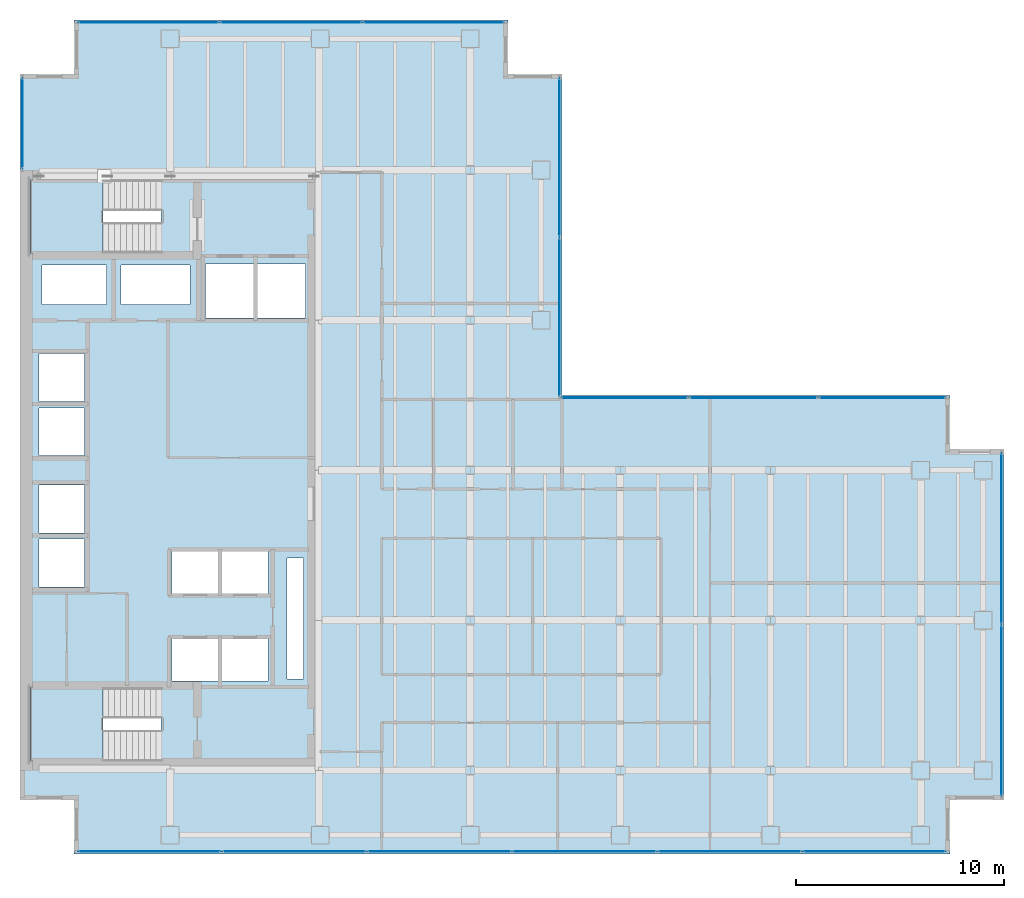
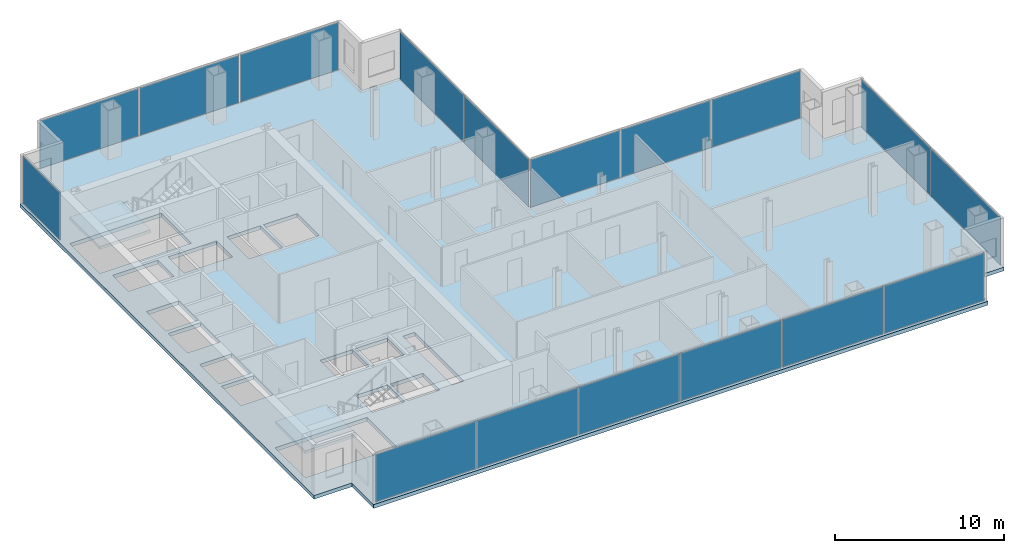
# One storey, part 19 of 23: 17 plates, 3 slabs, 15 openings, 8 elements without a shape of their own.
"""IFC4 building model written with IfcOpenShell, lengths in metres."""

from ifc_helpers import new_model, si_unit, direction, frame, origin, origin_2d, place, context, subcontext, project, spatial, polyline, rectangle, outline, extrude, material, layer, layer_set, type_object, element, aggregate, save


model = new_model("IFC4")

# Units and contexts
model_context = context("Model", 3, precision=1e-05, world=origin(), true_north=direction((0.0, 1.0)))
body_context = subcontext(model_context, "Body", "Model", "MODEL_VIEW")
ifc_project = project(units=[si_unit("LENGTHUNIT", "METRE"), si_unit("AREAUNIT", "SQUARE_METRE"), si_unit("VOLUMEUNIT", "CUBIC_METRE"), si_unit("PLANEANGLEUNIT", "RADIAN"), si_unit("MASSUNIT", "GRAM", prefix="KILO")], contexts=[model_context])

# Site, building, storey
site_placement = place(None, origin())
site = spatial("IfcSite", under=ifc_project, at=site_placement, CompositionType="ELEMENT")
building_placement = place(site_placement, origin())
building = spatial("IfcBuilding", under=site, at=building_placement, Name="Cobrela Telecom Tower", CompositionType="ELEMENT")
storey_placement = place(building_placement, frame((0.0, 0.0, 144.550048828125)))
storey = spatial("IfcBuildingStorey", under=building, at=storey_placement, Name="L36", CompositionType="ELEMENT", Elevation=144.550048828125)

# Curtain wall, plate
ifc_material_1 = material(Name="Anodized Bronze Aluminium 6063-T6", Category="aluminium")
curtain_wall_type = type_object("IfcCurtainWallType", Name="CW-SYS-TEL", PredefinedType="USERDEFINED", material=ifc_material_1)
curtain_wall_1_placement = place(storey_placement, origin())
curtain_wall_1 = element("IfcCurtainWall", 1, at=curtain_wall_1_placement, inside=storey, type_object=curtain_wall_type, Name="L36 Unitised Bronze Curtain Wall 04", ObjectType="UNITISED CURTAIN WALL", PredefinedType="USERDEFINED")
ifc_material_2 = material(Name="Solar-Control Bronze Low-E Glass", Category="glass")
ifc_layer_1 = layer(ifc_material_2, 0.035888671875)
ifc_layer_set_1 = layer_set([ifc_layer_1], Name="Solar-Control Bronze Low-E Glass")
plate_type = type_object("IfcPlateType", Name="CW-SYS-TEL-PNL", PredefinedType="CURTAIN_PANEL", material=ifc_layer_set_1)
plate_1_placement = place(storey_placement, frame((0.1201171875, 38.2451171875, 0.070068359375), z_axis=(0.0, 0.0, 1.0), x_axis=(0.0, 1.0, 0.0)))
plate_1 = element("IfcPlate", 2, at=plate_1_placement, type_object=plate_type, Name="CW-TEL panel 1.1", PredefinedType="CURTAIN_PANEL", context=body_context, shape_type="SweptSolid", body=[
    extrude(rectangle(XDim=4.340087890625, YDim=0.035888671875, at=origin_2d()), origin(), (0.0, 0.0, 1.0), 3.43994140625),
])
aggregate(curtain_wall_1, [plate_1])

# Curtain wall, plates
curtain_wall_2_placement = place(storey_placement, origin())
curtain_wall_2 = element("IfcCurtainWall", 3, at=curtain_wall_2_placement, inside=storey, type_object=curtain_wall_type, Name="L36 Unitised Bronze Curtain Wall 07", ObjectType="UNITISED CURTAIN WALL", PredefinedType="USERDEFINED")
plate_2_placement = place(storey_placement, frame((6.15869140625, 43.080078125, 0.070068359375), z_axis=(0.0, 0.0, 1.0), x_axis=(1.0, 0.0, 0.0)))
plate_2 = element("IfcPlate", 4, at=plate_2_placement, type_object=plate_type, Name="CW-TEL panel 1.1", PredefinedType="CURTAIN_PANEL", context=body_context, shape_type="SweptSolid", body=[
    extrude(rectangle(XDim=6.74755859375, YDim=0.035888671875, at=origin_2d()), origin(), (0.0, 0.0, 1.0), 3.43994140625),
])
plate_3_placement = place(storey_placement, frame((13.0, 43.080078125, 0.070068359375), z_axis=(0.0, 0.0, 1.0), x_axis=(1.0, 0.0, 0.0)))
plate_3 = element("IfcPlate", 5, at=plate_3_placement, type_object=plate_type, Name="CW-TEL panel 2.1", PredefinedType="CURTAIN_PANEL", context=body_context, shape_type="SweptSolid", body=[
    extrude(rectangle(XDim=6.784912109375, YDim=0.035888671875, at=origin_2d()), origin(), (0.0, 0.0, 1.0), 3.43994140625),
])
plate_4_placement = place(storey_placement, frame((19.84130859375, 43.080078125, 0.070068359375), z_axis=(0.0, 0.0, 1.0), x_axis=(1.0, 0.0, 0.0)))
plate_4 = element("IfcPlate", 6, at=plate_4_placement, type_object=plate_type, Name="CW-TEL panel 3.1", PredefinedType="CURTAIN_PANEL", context=body_context, shape_type="SweptSolid", body=[
    extrude(rectangle(XDim=6.74755859375, YDim=0.035888671875, at=origin_2d()), origin(), (0.0, 0.0, 1.0), 3.43994140625),
])
aggregate(curtain_wall_2, [plate_2, plate_3, plate_4])

curtain_wall_3_placement = place(storey_placement, origin())
curtain_wall_3 = element("IfcCurtainWall", 7, at=curtain_wall_3_placement, inside=storey, type_object=curtain_wall_type, Name="L36 Unitised Bronze Curtain Wall 10", ObjectType="UNITISED CURTAIN WALL", PredefinedType="USERDEFINED")
plate_5_placement = place(storey_placement, frame((25.8798828125, 36.61865234375, 0.070068359375), z_axis=(0.0, 0.0, 1.0), x_axis=(0.0, -1.0, 0.0)))
plate_5 = element("IfcPlate", 8, at=plate_5_placement, type_object=plate_type, Name="CW-TEL panel 1.1", PredefinedType="CURTAIN_PANEL", context=body_context, shape_type="SweptSolid", body=[
    extrude(rectangle(XDim=7.592529296875, YDim=0.035888671875, at=origin_2d()), origin(), (0.0, 0.0, 1.0), 3.43994140625),
])
plate_6_placement = place(storey_placement, frame((25.8798828125, 28.951171875, 0.070068359375), z_axis=(0.0, 0.0, 1.0), x_axis=(0.0, -1.0, 0.0)))
plate_6 = element("IfcPlate", 9, at=plate_6_placement, type_object=plate_type, Name="CW-TEL panel 2.1", PredefinedType="CURTAIN_PANEL", context=body_context, shape_type="SweptSolid", body=[
    extrude(rectangle(XDim=7.592529296875, YDim=0.035888671875, at=origin_2d()), origin(), (0.0, 0.0, 1.0), 3.43994140625),
])
aggregate(curtain_wall_3, [plate_5, plate_6])

curtain_wall_4_placement = place(storey_placement, origin())
curtain_wall_4 = element("IfcCurtainWall", 10, at=curtain_wall_4_placement, inside=storey, type_object=curtain_wall_type, Name="L36 Unitised Bronze Curtain Wall 11", ObjectType="UNITISED CURTAIN WALL", PredefinedType="USERDEFINED")
plate_7_placement = place(storey_placement, frame((29.00048828125, 25.080078125, 0.070068359375), z_axis=(0.0, 0.0, 1.0), x_axis=(1.0, 0.0, 0.0)))
plate_7 = element("IfcPlate", 11, at=plate_7_placement, type_object=plate_type, Name="CW-TEL panel 1.1", PredefinedType="CURTAIN_PANEL", context=body_context, shape_type="SweptSolid", body=[
    extrude(rectangle(XDim=6.0908203125, YDim=0.035888671875, at=origin_2d()), origin(), (0.0, 0.0, 1.0), 3.43994140625),
])
plate_8_placement = place(storey_placement, frame((35.18505859375, 25.080078125, 0.070068359375), z_axis=(0.0, 0.0, 1.0), x_axis=(1.0, 0.0, 0.0)))
plate_8 = element("IfcPlate", 12, at=plate_8_placement, type_object=plate_type, Name="CW-TEL panel 2.1", PredefinedType="CURTAIN_PANEL", context=body_context, shape_type="SweptSolid", body=[
    extrude(rectangle(XDim=6.12841796875, YDim=0.035888671875, at=origin_2d()), origin(), (0.0, 0.0, 1.0), 3.43994140625),
])
plate_9_placement = place(storey_placement, frame((41.36962890625, 25.080078125, 0.070068359375), z_axis=(0.0, 0.0, 1.0), x_axis=(1.0, 0.0, 0.0)))
plate_9 = element("IfcPlate", 13, at=plate_9_placement, type_object=plate_type, Name="CW-TEL panel 3.1", PredefinedType="CURTAIN_PANEL", context=body_context, shape_type="SweptSolid", body=[
    extrude(rectangle(XDim=6.0908203125, YDim=0.035888671875, at=origin_2d()), origin(), (0.0, 0.0, 1.0), 3.43994140625),
])
aggregate(curtain_wall_4, [plate_7, plate_8, plate_9])

curtain_wall_5_placement = place(storey_placement, origin())
curtain_wall_5 = element("IfcCurtainWall", 14, at=curtain_wall_5_placement, inside=storey, type_object=curtain_wall_type, Name="L36 Unitised Bronze Curtain Wall 14", ObjectType="UNITISED CURTAIN WALL", PredefinedType="USERDEFINED")
plate_10_placement = place(storey_placement, frame((47.080078125, 18.326171875, 0.070068359375), z_axis=(0.0, 0.0, 1.0), x_axis=(0.0, -1.0, 0.0)))
plate_10 = element("IfcPlate", 15, at=plate_10_placement, type_object=plate_type, Name="CW-TEL panel 1.1", PredefinedType="CURTAIN_PANEL", context=body_context, shape_type="SweptSolid", body=[
    extrude(rectangle(XDim=8.177490234375, YDim=0.035888671875, at=origin_2d()), origin(), (0.0, 0.0, 1.0), 3.43994140625),
])
plate_11_placement = place(storey_placement, frame((47.080078125, 10.07373046875, 0.070068359375), z_axis=(0.0, 0.0, 1.0), x_axis=(0.0, -1.0, 0.0)))
plate_11 = element("IfcPlate", 16, at=plate_11_placement, type_object=plate_type, Name="CW-TEL panel 2.1", PredefinedType="CURTAIN_PANEL", context=body_context, shape_type="SweptSolid", body=[
    extrude(rectangle(XDim=8.177490234375, YDim=0.035888671875, at=origin_2d()), origin(), (0.0, 0.0, 1.0), 3.43994140625),
])
aggregate(curtain_wall_5, [plate_10, plate_11])

curtain_wall_6_placement = place(storey_placement, origin())
curtain_wall_6 = element("IfcCurtainWall", 17, at=curtain_wall_6_placement, inside=storey, type_object=curtain_wall_type, Name="L36 Unitised Bronze Curtain Wall 17", ObjectType="UNITISED CURTAIN WALL", PredefinedType="USERDEFINED")
plate_12_placement = place(storey_placement, frame((40.989501953125, 3.320068359375, 0.070068359375), z_axis=(0.0, 0.0, 1.0), x_axis=(-1.0, 0.0, 0.0)))
plate_12 = element("IfcPlate", 18, at=plate_12_placement, type_object=plate_type, Name="CW-TEL panel 1.1", PredefinedType="CURTAIN_PANEL", context=body_context, shape_type="SweptSolid", body=[
    extrude(rectangle(XDim=6.850830078125, YDim=0.035888671875, at=origin_2d()), origin(), (0.0, 0.0, 1.0), 3.43994140625),
])
plate_13_placement = place(storey_placement, frame((34.044921875, 3.320068359375, 0.070068359375), z_axis=(0.0, 0.0, 1.0), x_axis=(-1.0, 0.0, 0.0)))
plate_13 = element("IfcPlate", 19, at=plate_13_placement, type_object=plate_type, Name="CW-TEL panel 2.1", PredefinedType="CURTAIN_PANEL", context=body_context, shape_type="SweptSolid", body=[
    extrude(rectangle(XDim=6.888427734375, YDim=0.035888671875, at=origin_2d()), origin(), (0.0, 0.0, 1.0), 3.43994140625),
])
plate_14_placement = place(storey_placement, frame((27.081787109375, 3.320068359375, 0.070068359375), z_axis=(0.0, 0.0, 1.0), x_axis=(-1.0, 0.0, 0.0)))
plate_14 = element("IfcPlate", 20, at=plate_14_placement, type_object=plate_type, Name="CW-TEL panel 3.1", PredefinedType="CURTAIN_PANEL", context=body_context, shape_type="SweptSolid", body=[
    extrude(rectangle(XDim=6.888427734375, YDim=0.035888671875, at=origin_2d()), origin(), (0.0, 0.0, 1.0), 3.43994140625),
])
plate_15_placement = place(storey_placement, frame((20.118408203125, 3.320068359375, 0.070068359375), z_axis=(0.0, 0.0, 1.0), x_axis=(-1.0, 0.0, 0.0)))
plate_15 = element("IfcPlate", 21, at=plate_15_placement, type_object=plate_type, Name="CW-TEL panel 4.1", PredefinedType="CURTAIN_PANEL", context=body_context, shape_type="SweptSolid", body=[
    extrude(rectangle(XDim=6.888427734375, YDim=0.035888671875, at=origin_2d()), origin(), (0.0, 0.0, 1.0), 3.43994140625),
])
plate_16_placement = place(storey_placement, frame((13.155029296875, 3.320068359375, 0.070068359375), z_axis=(0.0, 0.0, 1.0), x_axis=(-1.0, 0.0, 0.0)))
plate_16 = element("IfcPlate", 22, at=plate_16_placement, type_object=plate_type, Name="CW-TEL panel 5.1", PredefinedType="CURTAIN_PANEL", context=body_context, shape_type="SweptSolid", body=[
    extrude(rectangle(XDim=6.888427734375, YDim=0.035888671875, at=origin_2d()), origin(), (0.0, 0.0, 1.0), 3.43994140625),
])
plate_17_placement = place(storey_placement, frame((6.21044921875, 3.320068359375, 0.070068359375), z_axis=(0.0, 0.0, 1.0), x_axis=(-1.0, 0.0, 0.0)))
plate_17 = element("IfcPlate", 23, at=plate_17_placement, type_object=plate_type, Name="CW-TEL panel 6.1", PredefinedType="CURTAIN_PANEL", context=body_context, shape_type="SweptSolid", body=[
    extrude(rectangle(XDim=6.850830078125, YDim=0.035888671875, at=origin_2d()), origin(), (0.0, 0.0, 1.0), 3.43994140625),
])
aggregate(curtain_wall_6, [plate_12, plate_13, plate_14, plate_15, plate_16, plate_17])

# Slab, openings
ifc_material_3 = material(Name="Concrete C40/50", Category="concrete")
ifc_layer_2 = layer(ifc_material_3, 0.27001953125)
ifc_layer_set_2 = layer_set([ifc_layer_2], Name="Concrete C40/50")
slab_type_1 = type_object("IfcSlabType", Name="SLAB-FLR-270", PredefinedType="FLOOR", material=ifc_layer_set_2)
slab_1_placement = place(storey_placement, frame((0.0, 0.0, -0.27001953125)))
slab_1 = element("IfcSlab", 24, at=slab_1_placement, inside=storey, type_object=slab_type_1, Name="L36 Structural Floor Slab", PredefinedType="FLOOR", context=body_context, shape_type="SweptSolid", body=[
    extrude(outline(polyline([(2.590087890625, 3.199951171875), (44.610107421875, 3.199951171875), (44.610107421875, 5.7900390625), (47.199951171875, 5.7900390625), (47.199951171875, 22.610107421875), (44.610107421875, 22.610107421875), (44.610107421875, 25.199951171875), (26.0, 25.199951171875), (26.0, 40.610107421875), (23.409912109375, 40.610107421875), (23.409912109375, 43.199951171875), (2.590087890625, 43.199951171875), (2.590087890625, 40.610107421875), (0.0, 40.610107421875), (0.0, 5.7900390625), (2.590087890625, 5.7900390625), (2.590087890625, 3.199951171875)])), origin(), (0.0, 0.0, 1.0), 0.27001953125),
])
opening_1_placement = place(slab_1_placement, frame((0.0, 0.0, -0.02001953125)))
element("IfcOpeningElement", 25, at=opening_1_placement, cuts=slab_1, Name="Slab Shaft Opening SLAB-L36-MAIN.1", PredefinedType="OPENING", context=body_context, shape_type="SweptSolid", body=[
    extrude(outline(polyline([(8.89990234375, 28.89990234375), (11.199951171875, 28.89990234375), (11.199951171875, 31.5), (8.89990234375, 31.5), (8.89990234375, 28.89990234375)])), origin(), (0.0, 0.0, 1.0), 0.31005859375),
])
opening_2_placement = place(slab_1_placement, frame((0.0, 0.0, -0.02001953125)))
element("IfcOpeningElement", 26, at=opening_2_placement, cuts=slab_1, Name="Slab Shaft Opening SLAB-L36-MAIN.2", PredefinedType="OPENING", context=body_context, shape_type="SweptSolid", body=[
    extrude(outline(polyline([(11.39990234375, 28.89990234375), (13.699951171875, 28.89990234375), (13.699951171875, 31.5), (11.39990234375, 31.5), (11.39990234375, 28.89990234375)])), origin(), (0.0, 0.0, 1.0), 0.31005859375),
])
opening_3_placement = place(slab_1_placement, frame((0.0, 0.0, -0.02001953125)))
element("IfcOpeningElement", 27, at=opening_3_placement, cuts=slab_1, Name="Slab Shaft Opening SLAB-L36-MAIN.3", PredefinedType="OPENING", context=body_context, shape_type="SweptSolid", body=[
    extrude(outline(polyline([(7.300048828125, 15.699951171875), (9.5, 15.699951171875), (9.5, 17.699951171875), (7.300048828125, 17.699951171875), (7.300048828125, 15.699951171875)])), origin(), (0.0, 0.0, 1.0), 0.31005859375),
])
opening_4_placement = place(slab_1_placement, frame((0.0, 0.0, -0.02001953125)))
element("IfcOpeningElement", 28, at=opening_4_placement, cuts=slab_1, Name="Slab Shaft Opening SLAB-L36-MAIN.4", PredefinedType="OPENING", context=body_context, shape_type="SweptSolid", body=[
    extrude(outline(polyline([(9.699951171875, 15.699951171875), (11.89990234375, 15.699951171875), (11.89990234375, 17.699951171875), (9.699951171875, 17.699951171875), (9.699951171875, 15.699951171875)])), origin(), (0.0, 0.0, 1.0), 0.31005859375),
])
opening_5_placement = place(slab_1_placement, frame((0.0, 0.0, -0.02001953125)))
element("IfcOpeningElement", 29, at=opening_5_placement, cuts=slab_1, Name="Slab Shaft Opening SLAB-L36-MAIN.5", PredefinedType="OPENING", context=body_context, shape_type="SweptSolid", body=[
    extrude(outline(polyline([(7.300048828125, 11.5), (9.5, 11.5), (9.5, 13.5), (7.300048828125, 13.5), (7.300048828125, 11.5)])), origin(), (0.0, 0.0, 1.0), 0.31005859375),
])
opening_6_placement = place(slab_1_placement, frame((0.0, 0.0, -0.02001953125)))
element("IfcOpeningElement", 30, at=opening_6_placement, cuts=slab_1, Name="Slab Shaft Opening SLAB-L36-MAIN.6", PredefinedType="OPENING", context=body_context, shape_type="SweptSolid", body=[
    extrude(outline(polyline([(9.699951171875, 11.5), (11.89990234375, 11.5), (11.89990234375, 13.5), (9.699951171875, 13.5), (9.699951171875, 11.5)])), origin(), (0.0, 0.0, 1.0), 0.31005859375),
])
opening_7_placement = place(slab_1_placement, frame((0.0, 0.0, -0.02001953125)))
element("IfcOpeningElement", 31, at=opening_7_placement, cuts=slab_1, Name="Slab Shaft Opening SLAB-L36-MAIN.7", PredefinedType="OPENING", context=body_context, shape_type="SweptSolid", body=[
    extrude(outline(polyline([(0.89990234375, 16.0), (3.10009765625, 16.0), (3.10009765625, 18.300048828125), (0.89990234375, 18.300048828125), (0.89990234375, 16.0)])), origin(), (0.0, 0.0, 1.0), 0.31005859375),
])
opening_8_placement = place(slab_1_placement, frame((0.0, 0.0, -0.02001953125)))
element("IfcOpeningElement", 32, at=opening_8_placement, cuts=slab_1, Name="Slab Shaft Opening SLAB-L36-MAIN.8", PredefinedType="OPENING", context=body_context, shape_type="SweptSolid", body=[
    extrude(outline(polyline([(0.89990234375, 18.60009765625), (3.10009765625, 18.60009765625), (3.10009765625, 20.89990234375), (0.89990234375, 20.89990234375), (0.89990234375, 18.60009765625)])), origin(), (0.0, 0.0, 1.0), 0.31005859375),
])
opening_9_placement = place(slab_1_placement, frame((0.0, 0.0, -0.02001953125)))
element("IfcOpeningElement", 33, at=opening_9_placement, cuts=slab_1, Name="Slab Shaft Opening SLAB-L36-MAIN.9", PredefinedType="OPENING", context=body_context, shape_type="SweptSolid", body=[
    extrude(outline(polyline([(0.89990234375, 22.300048828125), (3.10009765625, 22.300048828125), (3.10009765625, 24.60009765625), (0.89990234375, 24.60009765625), (0.89990234375, 22.300048828125)])), origin(), (0.0, 0.0, 1.0), 0.31005859375),
])
opening_10_placement = place(slab_1_placement, frame((0.0, 0.0, -0.02001953125)))
element("IfcOpeningElement", 34, at=opening_10_placement, cuts=slab_1, Name="Slab Shaft Opening SLAB-L36-MAIN.10", PredefinedType="OPENING", context=body_context, shape_type="SweptSolid", body=[
    extrude(outline(polyline([(0.89990234375, 24.89990234375), (3.10009765625, 24.89990234375), (3.10009765625, 27.199951171875), (0.89990234375, 27.199951171875), (0.89990234375, 24.89990234375)])), origin(), (0.0, 0.0, 1.0), 0.31005859375),
])
opening_11_placement = place(slab_1_placement, frame((0.0, 0.0, -0.02001953125)))
element("IfcOpeningElement", 35, at=opening_11_placement, cuts=slab_1, Name="Slab Shaft Opening SLAB-L36-MAIN.11", PredefinedType="OPENING", context=body_context, shape_type="SweptSolid", body=[
    extrude(outline(polyline([(1.050048828125, 29.550048828125), (4.14990234375, 29.550048828125), (4.14990234375, 31.449951171875), (1.050048828125, 31.449951171875), (1.050048828125, 29.550048828125)])), origin(), (0.0, 0.0, 1.0), 0.31005859375),
])
opening_12_placement = place(slab_1_placement, frame((0.0, 0.0, -0.02001953125)))
element("IfcOpeningElement", 36, at=opening_12_placement, cuts=slab_1, Name="Slab Shaft Opening SLAB-L36-MAIN.12", PredefinedType="OPENING", context=body_context, shape_type="SweptSolid", body=[
    extrude(outline(polyline([(4.85009765625, 29.550048828125), (8.14990234375, 29.550048828125), (8.14990234375, 31.449951171875), (4.85009765625, 31.449951171875), (4.85009765625, 29.550048828125)])), origin(), (0.0, 0.0, 1.0), 0.31005859375),
])
opening_13_placement = place(slab_1_placement, frame((0.0, 0.0, -0.02001953125)))
element("IfcOpeningElement", 37, at=opening_13_placement, cuts=slab_1, Name="Slab Shaft Opening SLAB-L36-MAIN.13", PredefinedType="OPENING", context=body_context, shape_type="SweptSolid", body=[
    extrude(outline(polyline([(12.800048828125, 11.60009765625), (13.60009765625, 11.60009765625), (13.60009765625, 17.39990234375), (12.800048828125, 17.39990234375), (12.800048828125, 11.60009765625)])), origin(), (0.0, 0.0, 1.0), 0.31005859375),
])
opening_14_placement = place(slab_1_placement, frame((0.0, 0.0, -0.02001953125)))
element("IfcOpeningElement", 38, at=opening_14_placement, cuts=slab_1, Name="Slab Shaft Opening SLAB-L36-MAIN.14", PredefinedType="OPENING", context=body_context, shape_type="SweptSolid", body=[
    extrude(outline(polyline([(6.7548828125, 35.550048828125), (0.47998046875, 35.550048828125), (0.47998046875, 32.0), (6.7548828125, 32.0), (6.7548828125, 35.550048828125)])), origin(), (0.0, 0.0, 1.0), 0.31005859375),
])
opening_15_placement = place(slab_1_placement, frame((0.0, 0.0, -0.02001953125)))
element("IfcOpeningElement", 39, at=opening_15_placement, cuts=slab_1, Name="Slab Shaft Opening SLAB-L36-MAIN.15", PredefinedType="OPENING", context=body_context, shape_type="SweptSolid", body=[
    extrude(outline(polyline([(6.7548828125, 11.199951171875), (0.47998046875, 11.199951171875), (0.47998046875, 7.64990234375), (6.7548828125, 7.64990234375), (6.7548828125, 11.199951171875)])), origin(), (0.0, 0.0, 1.0), 0.31005859375),
])

# Stair, slab
stair_type = type_object("IfcStairType", Name="STAIR-CORE", PredefinedType="HALF_TURN_STAIR", material=ifc_material_3)
stair_1_placement = place(storey_placement, origin())
stair_1 = element("IfcStair", 40, at=stair_1_placement, inside=storey, type_object=stair_type, Name="L36 Smokeproof Exit Stair ST1", PredefinedType="HALF_TURN_STAIR")
ifc_layer_3 = layer(ifc_material_3, 0.199951171875)
ifc_layer_set_3 = layer_set([ifc_layer_3], Name="Concrete C40/50")
slab_type_2 = type_object("IfcSlabType", Name="SLAB-LAND-200", PredefinedType="LANDING", material=ifc_layer_set_3)
slab_2_placement = place(storey_placement, frame((0.0, 0.0, 1.724853515625)))
slab_2 = element("IfcSlab", 41, at=slab_2_placement, type_object=slab_type_2, Name="ST1 landing 1", PredefinedType="LANDING", context=body_context, shape_type="SweptSolid", body=[
    extrude(outline(polyline([(3.969970703125, 35.550048828125), (0.47998046875, 35.550048828125), (0.47998046875, 32.0), (3.969970703125, 32.0), (3.969970703125, 35.550048828125)])), origin(), (0.0, 0.0, 1.0), 0.2001953125),
])
aggregate(stair_1, [slab_2])

stair_2_placement = place(storey_placement, origin())
stair_2 = element("IfcStair", 42, at=stair_2_placement, inside=storey, type_object=stair_type, Name="L36 Smokeproof Exit Stair ST2", PredefinedType="HALF_TURN_STAIR")
slab_3_placement = place(storey_placement, frame((0.0, 0.0, 1.724853515625)))
slab_3 = element("IfcSlab", 43, at=slab_3_placement, type_object=slab_type_2, Name="ST2 landing 1", PredefinedType="LANDING", context=body_context, shape_type="SweptSolid", body=[
    extrude(outline(polyline([(3.969970703125, 11.199951171875), (0.47998046875, 11.199951171875), (0.47998046875, 7.64990234375), (3.969970703125, 7.64990234375), (3.969970703125, 11.199951171875)])), origin(), (0.0, 0.0, 1.0), 0.2001953125),
])
aggregate(stair_2, [slab_3])

save(model, "model.ifc")
